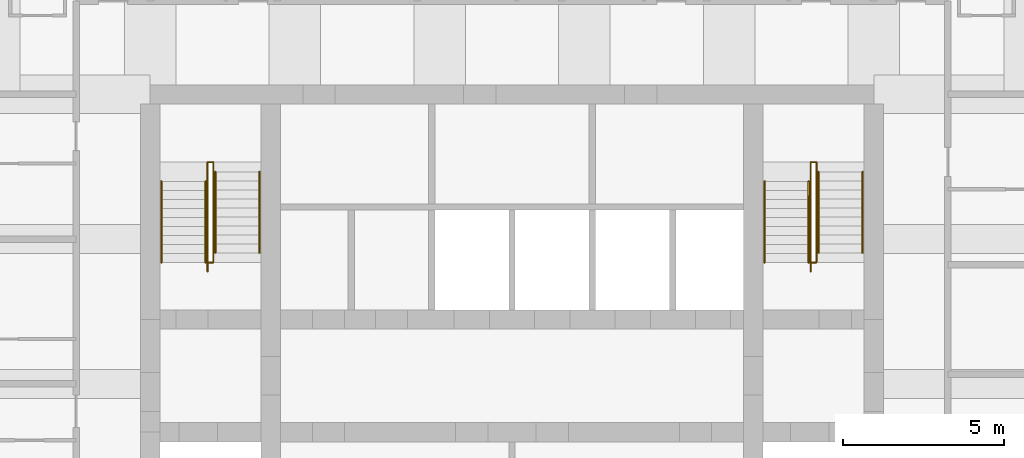
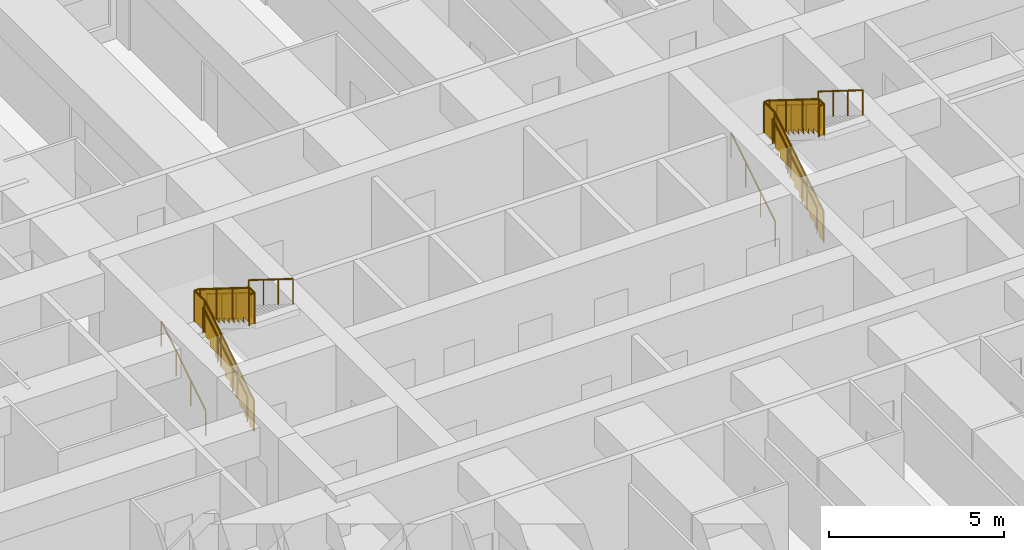
# One storey, part 8 of 8: 12 railings.
"""IFC4 building model written with IfcOpenShell, lengths in metres."""

from ifc_helpers import new_model, si_unit, direction, frame, origin, origin_2d, place, context, subcontext, project, spatial, polyline, circle, outline, extrude, material, type_object, element, save


model = new_model("IFC4")

# Units and contexts
model_context = context("Model", 3, precision=1e-05, world=origin(), true_north=direction((0.0, 1.0)))
body_context = subcontext(model_context, "Body", "Model", "MODEL_VIEW")
ifc_project = project(units=[si_unit("LENGTHUNIT", "METRE"), si_unit("AREAUNIT", "SQUARE_METRE"), si_unit("VOLUMEUNIT", "CUBIC_METRE"), si_unit("PLANEANGLEUNIT", "RADIAN"), si_unit("MASSUNIT", "GRAM", prefix="KILO")], contexts=[model_context])

# Site, building, storey
site_placement = place(None, origin())
site = spatial("IfcSite", under=ifc_project, at=site_placement, CompositionType="ELEMENT")
building_placement = place(site_placement, origin())
building = spatial("IfcBuilding", under=site, at=building_placement, Name="Kilele Tower Hotel", CompositionType="ELEMENT")
storey_placement = place(building_placement, frame((0.0, 0.0, 172.89990234375)))
storey = spatial("IfcBuildingStorey", under=building, at=storey_placement, Name="L44", CompositionType="ELEMENT", Elevation=172.89990234375)

# Railings
ifc_material_1 = material(Name="Steel handrail", Category="steel")
railing_type_1 = type_object("IfcRailingType", Name="Handrail 900", PredefinedType="HANDRAIL", material=ifc_material_1)
for number, where, name in (
    (1, (13.85009765625, 21.77490234375, 0.175048828125), "Handrail ST1 flight 1"),
    (2, (15.22509765625, 21.77490234375, 0.175048828125), "Handrail ST1 flight 1"),
):
    element("IfcRailing", number, at=place(storey_placement, frame(where)), inside=storey, type_object=railing_type_1, Name=name, PredefinedType="HANDRAIL", context=body_context, shape_type="SweptSolid", body=[
        extrude(circle(Radius=0.02490234375, at=origin_2d()), frame((0.0, 0.0, 0.875), z_axis=(0.0, 0.848007534815, 0.529984170421), x_axis=(-1.0, 0.0, 0.0)), (0.0, 0.0, 1.0), 2.9716796875),
        extrude(circle(Radius=0.02001953125, at=origin_2d()), origin(), (0.0, 0.0, 1.0), 0.849853515625),
        extrude(circle(Radius=0.02001953125, at=origin_2d()), frame((0.0, 0.840087890625, 0.52490234375)), (0.0, 0.0, 1.0), 0.849853515625),
        extrude(circle(Radius=0.02001953125, at=origin_2d()), frame((0.0, 1.679931640625, 1.050048828125)), (0.0, 0.0, 1.0), 0.849853515625),
        extrude(circle(Radius=0.02001953125, at=origin_2d()), frame((0.0, 2.52001953125, 1.574951171875)), (0.0, 0.0, 1.0), 0.849853515625),
    ])
for number, where, name in (
    (3, (15.52490234375, 24.594970703125, 1.925048828125), "Handrail ST1 flight 2"),
    (4, (16.89990234375, 24.594970703125, 1.925048828125), "Handrail ST1 flight 2"),
):
    element("IfcRailing", number, at=place(storey_placement, frame(where)), inside=storey, type_object=railing_type_1, Name=name, PredefinedType="HANDRAIL", context=body_context, shape_type="SweptSolid", body=[
        extrude(circle(Radius=0.02490234375, at=origin_2d()), frame((0.0, 0.0, 0.875), z_axis=(0.0, -0.848007534815, 0.529984170421), x_axis=(1.0, 0.0, 0.0)), (0.0, 0.0, 1.0), 2.9716796875),
        extrude(circle(Radius=0.02001953125, at=origin_2d()), origin(), (0.0, 0.0, 1.0), 0.849853515625),
        extrude(circle(Radius=0.02001953125, at=origin_2d()), frame((0.0, -0.840087890625, 0.52490234375)), (0.0, 0.0, 1.0), 0.849853515625),
        extrude(circle(Radius=0.02001953125, at=origin_2d()), frame((0.0, -1.679931640625, 1.050048828125)), (0.0, 0.0, 1.0), 0.849853515625),
        extrude(circle(Radius=0.02001953125, at=origin_2d()), frame((0.0, -2.52001953125, 1.574951171875)), (0.0, 0.0, 1.0), 0.849853515625),
    ])
for number, where, name in (
    (5, (32.60009765625, 21.77490234375, 0.175048828125), "Handrail ST2 flight 1"),
    (6, (33.97509765625, 21.77490234375, 0.175048828125), "Handrail ST2 flight 1"),
):
    element("IfcRailing", number, at=place(storey_placement, frame(where)), inside=storey, type_object=railing_type_1, Name=name, PredefinedType="HANDRAIL", context=body_context, shape_type="SweptSolid", body=[
        extrude(circle(Radius=0.02490234375, at=origin_2d()), frame((0.0, 0.0, 0.875), z_axis=(0.0, 0.848007534815, 0.529984170421), x_axis=(-1.0, 0.0, 0.0)), (0.0, 0.0, 1.0), 2.9716796875),
        extrude(circle(Radius=0.02001953125, at=origin_2d()), origin(), (0.0, 0.0, 1.0), 0.849853515625),
        extrude(circle(Radius=0.02001953125, at=origin_2d()), frame((0.0, 0.840087890625, 0.52490234375)), (0.0, 0.0, 1.0), 0.849853515625),
        extrude(circle(Radius=0.02001953125, at=origin_2d()), frame((0.0, 1.679931640625, 1.050048828125)), (0.0, 0.0, 1.0), 0.849853515625),
        extrude(circle(Radius=0.02001953125, at=origin_2d()), frame((0.0, 2.52001953125, 1.574951171875)), (0.0, 0.0, 1.0), 0.849853515625),
    ])
for number, where, name in (
    (7, (34.27490234375, 24.594970703125, 1.925048828125), "Handrail ST2 flight 2"),
    (8, (35.64990234375, 24.594970703125, 1.925048828125), "Handrail ST2 flight 2"),
):
    element("IfcRailing", number, at=place(storey_placement, frame(where)), inside=storey, type_object=railing_type_1, Name=name, PredefinedType="HANDRAIL", context=body_context, shape_type="SweptSolid", body=[
        extrude(circle(Radius=0.02490234375, at=origin_2d()), frame((0.0, 0.0, 0.875), z_axis=(0.0, -0.848007534815, 0.529984170421), x_axis=(1.0, 0.0, 0.0)), (0.0, 0.0, 1.0), 2.9716796875),
        extrude(circle(Radius=0.02001953125, at=origin_2d()), origin(), (0.0, 0.0, 1.0), 0.849853515625),
        extrude(circle(Radius=0.02001953125, at=origin_2d()), frame((0.0, -0.840087890625, 0.52490234375)), (0.0, 0.0, 1.0), 0.849853515625),
        extrude(circle(Radius=0.02001953125, at=origin_2d()), frame((0.0, -1.679931640625, 1.050048828125)), (0.0, 0.0, 1.0), 0.849853515625),
        extrude(circle(Radius=0.02001953125, at=origin_2d()), frame((0.0, -2.52001953125, 1.574951171875)), (0.0, 0.0, 1.0), 0.849853515625),
    ])
ifc_material_2 = material(Name="Steel guard", Category="steel")
railing_type_2 = type_object("IfcRailingType", Name="Stair guard 1100", PredefinedType="GUARDRAIL", material=ifc_material_2)
railing_1_placement = place(storey_placement, frame((15.284912109375, 21.4951171875, 0.0)))
element("IfcRailing", 9, at=railing_1_placement, inside=storey, type_object=railing_type_2, Name="Stair well guard ST1 flight 1", PredefinedType="GUARDRAIL", context=body_context, shape_type="SweptSolid", body=[
    extrude(circle(Radius=0.02490234375, at=origin_2d()), frame((0.0, 0.0, 1.0751953125), z_axis=(0.0, 0.847981687118, 0.530025526095), x_axis=(-1.0, 0.0, 0.0)), (0.0, 0.0, 1.0), 3.3017578125),
    extrude(circle(Radius=0.02490234375, at=origin_2d()), frame((0.0, 2.7998046875, 2.8251953125), z_axis=(0.0, 1.0, 0.0), x_axis=(-1.0, 0.0, 0.0)), (0.0, 0.0, 1.0), 0.60009765625),
    extrude(circle(Radius=0.02490234375, at=origin_2d()), frame((0.0, 3.39990234375, 2.8251953125), z_axis=(1.0, 0.0, 0.0), x_axis=(0.0, 1.0, 0.0)), (0.0, 0.0, 1.0), 0.18017578125),
    extrude(circle(Radius=0.02490234375, at=origin_2d()), origin(), (0.0, 0.0, 1.0), 1.050048828125),
    extrude(circle(Radius=0.02490234375, at=origin_2d()), frame((0.0, 0.933349609375, 0.583251953125)), (0.0, 0.0, 1.0), 1.050048828125),
    extrude(circle(Radius=0.02490234375, at=origin_2d()), frame((0.0, 1.866455078125, 1.166748046875)), (0.0, 0.0, 1.0), 1.050048828125),
    extrude(circle(Radius=0.02490234375, at=origin_2d()), frame((0.0, 2.7998046875, 1.75)), (0.0, 0.0, 1.0), 1.050048828125),
    extrude(circle(Radius=0.02490234375, at=origin_2d()), frame((0.0, 3.39990234375, 1.75)), (0.0, 0.0, 1.0), 1.050048828125),
    extrude(circle(Radius=0.02490234375, at=origin_2d()), frame((0.18017578125, 3.39990234375, 1.75)), (0.0, 0.0, 1.0), 1.050048828125),
    extrude(outline(polyline([(0.012451171875, 0.030029296875), (0.25, 0.030029296875), (0.25, 0.205078125), (0.530029296875, 0.205078125), (0.530029296875, 0.380126953125), (0.809814453125, 0.380126953125), (0.809814453125, 0.554931640625), (1.08984375, 0.554931640625), (1.08984375, 0.72998046875), (1.369873046875, 0.72998046875), (1.369873046875, 0.905029296875), (1.64990234375, 0.905029296875), (1.64990234375, 1.080078125), (1.929931640625, 1.080078125), (1.929931640625, 1.255126953125), (2.209716796875, 1.255126953125), (2.209716796875, 1.429931640625), (2.48974609375, 1.429931640625), (2.48974609375, 1.60498046875), (2.769775390625, 1.60498046875), (2.769775390625, 1.780029296875), (2.787353515625, 1.780029296875), (2.787353515625, 2.787841796875), (0.012451171875, 1.053466796875), (0.012451171875, 0.030029296875)])), frame((-0.005859375, 0.0, 0.0), z_axis=(1.0, 0.0, 0.0), x_axis=(0.0, 1.0, 0.0)), (0.0, 0.0, 1.0), 0.011962890625),
    extrude(outline(polyline([(0.012451171875, 0.030029296875), (0.587646484375, 0.030029296875), (0.587646484375, 1.050048828125), (0.012451171875, 1.050048828125), (0.012451171875, 0.030029296875)])), frame((-0.005859375, 2.7998046875, 1.75), z_axis=(1.0, 0.0, 0.0), x_axis=(0.0, 1.0, 0.0)), (0.0, 0.0, 1.0), 0.011962890625),
    extrude(outline(polyline([(0.012451171875, 0.030029296875), (0.18017578125, 0.030029296875), (0.18017578125, 1.050048828125), (0.012451171875, 1.050048828125), (0.012451171875, 0.030029296875)])), frame((0.0, 3.40576171875, 1.75), z_axis=(0.0, -1.0, 0.0), x_axis=(1.0, 0.0, 0.0)), (0.0, 0.0, 1.0), 0.011962890625),
])
railing_2_placement = place(storey_placement, frame((15.465087890625, 24.89501953125, 1.75)))
element("IfcRailing", 10, at=railing_2_placement, inside=storey, type_object=railing_type_2, Name="Stair well guard ST1 flight 2", PredefinedType="GUARDRAIL", context=body_context, shape_type="SweptSolid", body=[
    extrude(circle(Radius=0.02490234375, at=origin_2d()), frame((0.0, 0.0, 1.0751953125), z_axis=(0.0, -1.0, 0.0), x_axis=(1.0, 0.0, 0.0)), (0.0, 0.0, 1.0), 0.02001953125),
    extrude(circle(Radius=0.02490234375, at=origin_2d()), frame((0.0, -0.02001953125, 1.0751953125), z_axis=(0.0, -0.848002457836, 0.529992293815), x_axis=(1.0, 0.0, 0.0)), (0.0, 0.0, 1.0), 3.302001953125),
    extrude(circle(Radius=0.02490234375, at=origin_2d()), frame((0.0, -2.820068359375, 2.8251953125), z_axis=(0.0, -1.0, 0.0), x_axis=(1.0, 0.0, 0.0)), (0.0, 0.0, 1.0), 0.300048828125),
    extrude(circle(Radius=0.02490234375, at=origin_2d()), frame((0.0, -3.1201171875, 2.8251953125), z_axis=(-1.0, 0.0, 0.0), x_axis=(0.0, -1.0, 0.0)), (0.0, 0.0, 1.0), 0.18017578125),
    extrude(circle(Radius=0.02490234375, at=origin_2d()), origin(), (0.0, 0.0, 1.0), 1.050048828125),
    extrude(circle(Radius=0.02490234375, at=origin_2d()), frame((0.0, -0.02001953125, 0.0)), (0.0, 0.0, 1.0), 1.050048828125),
    extrude(circle(Radius=0.02490234375, at=origin_2d()), frame((0.0, -0.953369140625, 0.583251953125)), (0.0, 0.0, 1.0), 1.050048828125),
    extrude(circle(Radius=0.02490234375, at=origin_2d()), frame((0.0, -1.88671875, 1.166748046875)), (0.0, 0.0, 1.0), 1.050048828125),
    extrude(circle(Radius=0.02490234375, at=origin_2d()), frame((0.0, -2.820068359375, 1.75)), (0.0, 0.0, 1.0), 1.050048828125),
    extrude(circle(Radius=0.02490234375, at=origin_2d()), frame((0.0, -3.1201171875, 1.75)), (0.0, 0.0, 1.0), 1.050048828125),
    extrude(circle(Radius=0.02490234375, at=origin_2d()), frame((-0.18017578125, -3.1201171875, 1.75)), (0.0, 0.0, 1.0), 1.050048828125),
    extrude(outline(polyline([(0.012451171875, 0.030029296875), (0.25, 0.030029296875), (0.25, 0.205078125), (0.530029296875, 0.205078125), (0.530029296875, 0.380126953125), (0.81005859375, 0.380126953125), (0.81005859375, 0.554931640625), (1.090087890625, 0.554931640625), (1.090087890625, 0.72998046875), (1.3701171875, 0.72998046875), (1.3701171875, 0.905029296875), (1.64990234375, 0.905029296875), (1.64990234375, 1.080078125), (1.929931640625, 1.080078125), (1.929931640625, 1.255126953125), (2.2099609375, 1.255126953125), (2.2099609375, 1.429931640625), (2.489990234375, 1.429931640625), (2.489990234375, 1.60498046875), (2.77001953125, 1.60498046875), (2.77001953125, 1.780029296875), (2.78759765625, 1.780029296875), (2.78759765625, 2.787841796875), (0.012451171875, 1.053466796875), (0.012451171875, 0.030029296875)])), frame((0.005859375, -0.02001953125, 0.0), z_axis=(-1.0, 0.0, 0.0), x_axis=(0.0, -1.0, 0.0)), (0.0, 0.0, 1.0), 0.011962890625),
    extrude(outline(polyline([(0.012451171875, 0.030029296875), (0.28759765625, 0.030029296875), (0.28759765625, 1.050048828125), (0.012451171875, 1.050048828125), (0.012451171875, 0.030029296875)])), frame((0.005859375, -2.820068359375, 1.75), z_axis=(-1.0, 0.0, 0.0), x_axis=(0.0, -1.0, 0.0)), (0.0, 0.0, 1.0), 0.011962890625),
    extrude(outline(polyline([(0.012451171875, 0.030029296875), (0.18017578125, 0.030029296875), (0.18017578125, 1.050048828125), (0.012451171875, 1.050048828125), (0.012451171875, 0.030029296875)])), frame((0.0, -3.1259765625, 1.75), z_axis=(0.0, 1.0, 0.0), x_axis=(-1.0, 0.0, 0.0)), (0.0, 0.0, 1.0), 0.011962890625),
])
railing_3_placement = place(storey_placement, frame((34.034912109375, 21.4951171875, 0.0)))
element("IfcRailing", 11, at=railing_3_placement, inside=storey, type_object=railing_type_2, Name="Stair well guard ST2 flight 1", PredefinedType="GUARDRAIL", context=body_context, shape_type="SweptSolid", body=[
    extrude(circle(Radius=0.02490234375, at=origin_2d()), frame((0.0, 0.0, 1.0751953125), z_axis=(0.0, 0.847981687118, 0.530025526095), x_axis=(-1.0, 0.0, 0.0)), (0.0, 0.0, 1.0), 3.3017578125),
    extrude(circle(Radius=0.02490234375, at=origin_2d()), frame((0.0, 2.7998046875, 2.8251953125), z_axis=(0.0, 1.0, 0.0), x_axis=(-1.0, 0.0, 0.0)), (0.0, 0.0, 1.0), 0.60009765625),
    extrude(circle(Radius=0.02490234375, at=origin_2d()), frame((0.0, 3.39990234375, 2.8251953125), z_axis=(1.0, 0.0, 0.0), x_axis=(0.0, 1.0, 0.0)), (0.0, 0.0, 1.0), 0.18017578125),
    extrude(circle(Radius=0.02490234375, at=origin_2d()), origin(), (0.0, 0.0, 1.0), 1.050048828125),
    extrude(circle(Radius=0.02490234375, at=origin_2d()), frame((0.0, 0.933349609375, 0.583251953125)), (0.0, 0.0, 1.0), 1.050048828125),
    extrude(circle(Radius=0.02490234375, at=origin_2d()), frame((0.0, 1.866455078125, 1.166748046875)), (0.0, 0.0, 1.0), 1.050048828125),
    extrude(circle(Radius=0.02490234375, at=origin_2d()), frame((0.0, 2.7998046875, 1.75)), (0.0, 0.0, 1.0), 1.050048828125),
    extrude(circle(Radius=0.02490234375, at=origin_2d()), frame((0.0, 3.39990234375, 1.75)), (0.0, 0.0, 1.0), 1.050048828125),
    extrude(circle(Radius=0.02490234375, at=origin_2d()), frame((0.18017578125, 3.39990234375, 1.75)), (0.0, 0.0, 1.0), 1.050048828125),
    extrude(outline(polyline([(0.012451171875, 0.030029296875), (0.25, 0.030029296875), (0.25, 0.205078125), (0.530029296875, 0.205078125), (0.530029296875, 0.380126953125), (0.809814453125, 0.380126953125), (0.809814453125, 0.554931640625), (1.08984375, 0.554931640625), (1.08984375, 0.72998046875), (1.369873046875, 0.72998046875), (1.369873046875, 0.905029296875), (1.64990234375, 0.905029296875), (1.64990234375, 1.080078125), (1.929931640625, 1.080078125), (1.929931640625, 1.255126953125), (2.209716796875, 1.255126953125), (2.209716796875, 1.429931640625), (2.48974609375, 1.429931640625), (2.48974609375, 1.60498046875), (2.769775390625, 1.60498046875), (2.769775390625, 1.780029296875), (2.787353515625, 1.780029296875), (2.787353515625, 2.787841796875), (0.012451171875, 1.053466796875), (0.012451171875, 0.030029296875)])), frame((-0.005859375, 0.0, 0.0), z_axis=(1.0, 0.0, 0.0), x_axis=(0.0, 1.0, 0.0)), (0.0, 0.0, 1.0), 0.011962890625),
    extrude(outline(polyline([(0.012451171875, 0.030029296875), (0.587646484375, 0.030029296875), (0.587646484375, 1.050048828125), (0.012451171875, 1.050048828125), (0.012451171875, 0.030029296875)])), frame((-0.005859375, 2.7998046875, 1.75), z_axis=(1.0, 0.0, 0.0), x_axis=(0.0, 1.0, 0.0)), (0.0, 0.0, 1.0), 0.011962890625),
    extrude(outline(polyline([(0.012451171875, 0.030029296875), (0.18017578125, 0.030029296875), (0.18017578125, 1.050048828125), (0.012451171875, 1.050048828125), (0.012451171875, 0.030029296875)])), frame((0.0, 3.40576171875, 1.75), z_axis=(0.0, -1.0, 0.0), x_axis=(1.0, 0.0, 0.0)), (0.0, 0.0, 1.0), 0.011962890625),
])
railing_4_placement = place(storey_placement, frame((34.215087890625, 24.89501953125, 1.75)))
element("IfcRailing", 12, at=railing_4_placement, inside=storey, type_object=railing_type_2, Name="Stair well guard ST2 flight 2", PredefinedType="GUARDRAIL", context=body_context, shape_type="SweptSolid", body=[
    extrude(circle(Radius=0.02490234375, at=origin_2d()), frame((0.0, 0.0, 1.0751953125), z_axis=(0.0, -1.0, 0.0), x_axis=(1.0, 0.0, 0.0)), (0.0, 0.0, 1.0), 0.02001953125),
    extrude(circle(Radius=0.02490234375, at=origin_2d()), frame((0.0, -0.02001953125, 1.0751953125), z_axis=(0.0, -0.848002457836, 0.529992293815), x_axis=(1.0, 0.0, 0.0)), (0.0, 0.0, 1.0), 3.302001953125),
    extrude(circle(Radius=0.02490234375, at=origin_2d()), frame((0.0, -2.820068359375, 2.8251953125), z_axis=(0.0, -1.0, 0.0), x_axis=(1.0, 0.0, 0.0)), (0.0, 0.0, 1.0), 0.300048828125),
    extrude(circle(Radius=0.02490234375, at=origin_2d()), frame((0.0, -3.1201171875, 2.8251953125), z_axis=(-1.0, 0.0, 0.0), x_axis=(0.0, -1.0, 0.0)), (0.0, 0.0, 1.0), 0.18017578125),
    extrude(circle(Radius=0.02490234375, at=origin_2d()), origin(), (0.0, 0.0, 1.0), 1.050048828125),
    extrude(circle(Radius=0.02490234375, at=origin_2d()), frame((0.0, -0.02001953125, 0.0)), (0.0, 0.0, 1.0), 1.050048828125),
    extrude(circle(Radius=0.02490234375, at=origin_2d()), frame((0.0, -0.953369140625, 0.583251953125)), (0.0, 0.0, 1.0), 1.050048828125),
    extrude(circle(Radius=0.02490234375, at=origin_2d()), frame((0.0, -1.88671875, 1.166748046875)), (0.0, 0.0, 1.0), 1.050048828125),
    extrude(circle(Radius=0.02490234375, at=origin_2d()), frame((0.0, -2.820068359375, 1.75)), (0.0, 0.0, 1.0), 1.050048828125),
    extrude(circle(Radius=0.02490234375, at=origin_2d()), frame((0.0, -3.1201171875, 1.75)), (0.0, 0.0, 1.0), 1.050048828125),
    extrude(circle(Radius=0.02490234375, at=origin_2d()), frame((-0.18017578125, -3.1201171875, 1.75)), (0.0, 0.0, 1.0), 1.050048828125),
    extrude(outline(polyline([(0.012451171875, 0.030029296875), (0.25, 0.030029296875), (0.25, 0.205078125), (0.530029296875, 0.205078125), (0.530029296875, 0.380126953125), (0.81005859375, 0.380126953125), (0.81005859375, 0.554931640625), (1.090087890625, 0.554931640625), (1.090087890625, 0.72998046875), (1.3701171875, 0.72998046875), (1.3701171875, 0.905029296875), (1.64990234375, 0.905029296875), (1.64990234375, 1.080078125), (1.929931640625, 1.080078125), (1.929931640625, 1.255126953125), (2.2099609375, 1.255126953125), (2.2099609375, 1.429931640625), (2.489990234375, 1.429931640625), (2.489990234375, 1.60498046875), (2.77001953125, 1.60498046875), (2.77001953125, 1.780029296875), (2.78759765625, 1.780029296875), (2.78759765625, 2.787841796875), (0.012451171875, 1.053466796875), (0.012451171875, 0.030029296875)])), frame((0.005859375, -0.02001953125, 0.0), z_axis=(-1.0, 0.0, 0.0), x_axis=(0.0, -1.0, 0.0)), (0.0, 0.0, 1.0), 0.011962890625),
    extrude(outline(polyline([(0.012451171875, 0.030029296875), (0.28759765625, 0.030029296875), (0.28759765625, 1.050048828125), (0.012451171875, 1.050048828125), (0.012451171875, 0.030029296875)])), frame((0.005859375, -2.820068359375, 1.75), z_axis=(-1.0, 0.0, 0.0), x_axis=(0.0, -1.0, 0.0)), (0.0, 0.0, 1.0), 0.011962890625),
    extrude(outline(polyline([(0.012451171875, 0.030029296875), (0.18017578125, 0.030029296875), (0.18017578125, 1.050048828125), (0.012451171875, 1.050048828125), (0.012451171875, 0.030029296875)])), frame((0.0, -3.1259765625, 1.75), z_axis=(0.0, 1.0, 0.0), x_axis=(-1.0, 0.0, 0.0)), (0.0, 0.0, 1.0), 0.011962890625),
])

save(model, "model.ifc")
